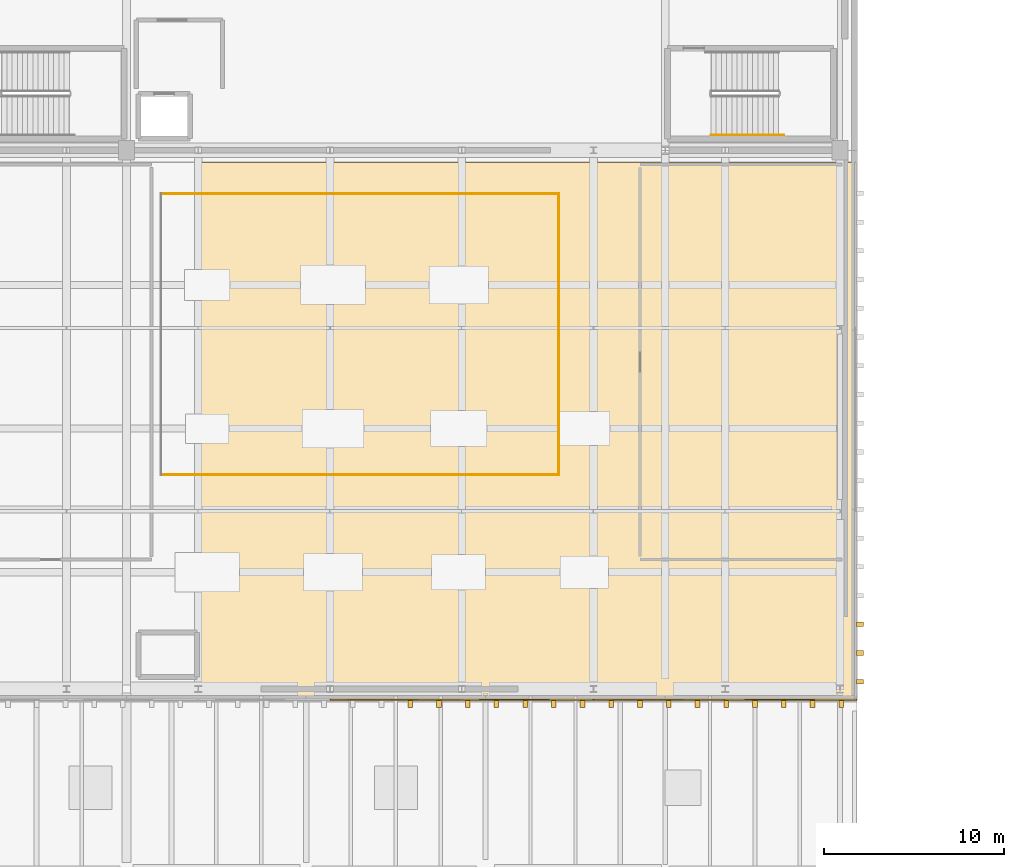
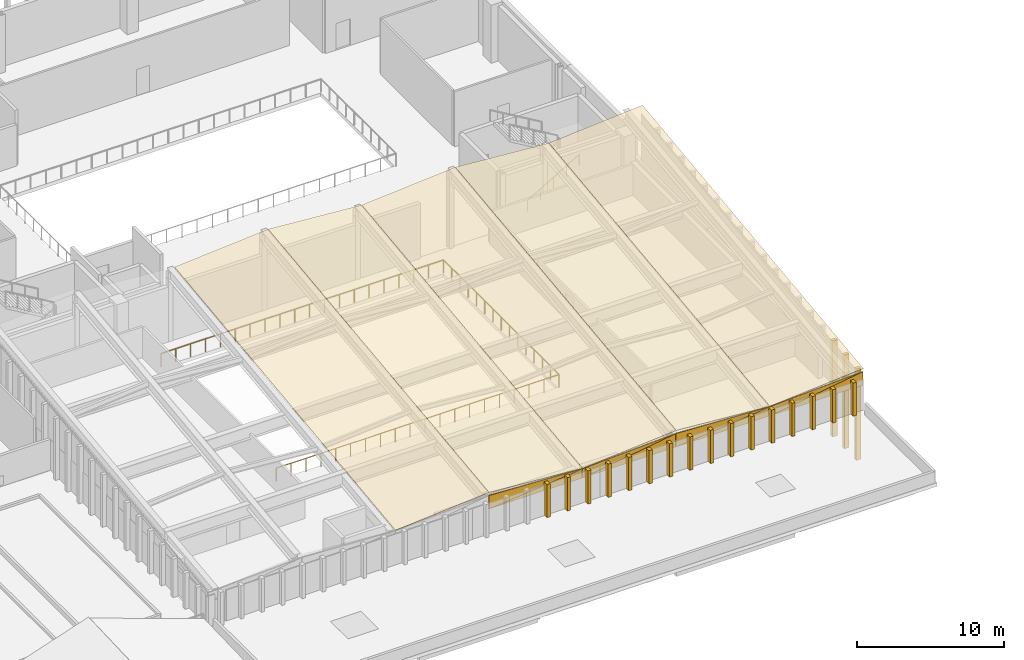
# One storey, part 26 of 30: 32 coverings, 4 railings.
"""IFC4 building model written with IfcOpenShell, lengths in metres."""

from ifc_helpers import new_model, si_unit, direction, frame, origin, origin_2d, place, context, subcontext, project, spatial, polyline, rectangle, circle, outline, extrude, material, layer, layer_set, type_object, element, save


model = new_model("IFC4")

# Units and contexts
model_context = context("Model", 3, precision=1e-05, world=origin(), true_north=direction((0.0, 1.0)))
body_context = subcontext(model_context, "Body", "Model", "MODEL_VIEW")
ifc_project = project(units=[si_unit("LENGTHUNIT", "METRE"), si_unit("AREAUNIT", "SQUARE_METRE"), si_unit("VOLUMEUNIT", "CUBIC_METRE"), si_unit("PLANEANGLEUNIT", "RADIAN"), si_unit("MASSUNIT", "GRAM", prefix="KILO")], contexts=[model_context])

# Site, building, storey
site_placement = place(None, origin())
site = spatial("IfcSite", under=ifc_project, at=site_placement, CompositionType="ELEMENT")
building_placement = place(site_placement, origin())
building = spatial("IfcBuilding", under=site, at=building_placement, Name="Trimount Lyric Opera House", CompositionType="ELEMENT")
storey_placement = place(building_placement, frame((0.0, 0.0, 24.800048828125)))
storey = spatial("IfcBuildingStorey", under=building, at=storey_placement, Name="L05", CompositionType="ELEMENT", Elevation=24.800048828125)

# Coverings
ifc_material_1 = material(Name="Extruded Brushed Aluminium Vertical Shed Rib", Category="aluminium")
ifc_layer_1 = layer(ifc_material_1, 0.260009765625)
ifc_layer_set_1 = layer_set([ifc_layer_1], Name="CLD-RIB1")
covering_type_1 = type_object("IfcCoveringType", Name="CLD-RIB1", PredefinedType="CLADDING", material=ifc_layer_set_1)
covering_1_placement = place(storey_placement, frame((114.85009765625, 54.39990234375, -4.7998046875), z_axis=(0.0, 0.0, 1.0), x_axis=(1.0, 0.0, 0.0)))
element("IfcCovering", 1, at=covering_1_placement, inside=storey, type_object=covering_type_1, Name="Auditorium E vertical cladding rib 061", PredefinedType="CLADDING", context=body_context, shape_type="SweptSolid", body=[
    extrude(rectangle(XDim=0.3798828125, YDim=0.260009765625, at=origin_2d()), origin(), (0.0, 0.0, 1.0), 7.581298828125),
])
covering_2_placement = place(storey_placement, frame((114.85009765625, 56.0, -4.80029296875), z_axis=(0.0, 0.0, 1.0), x_axis=(1.0, 0.0, 0.0)))
element("IfcCovering", 2, at=covering_2_placement, inside=storey, type_object=covering_type_1, Name="Auditorium E vertical cladding rib 062", PredefinedType="CLADDING", context=body_context, shape_type="SweptSolid", body=[
    extrude(rectangle(XDim=0.3798828125, YDim=0.260009765625, at=origin_2d()), origin(), (0.0, 0.0, 1.0), 7.776123046875),
])
covering_3_placement = place(storey_placement, frame((114.85009765625, 57.60009765625, -4.800048828125), z_axis=(0.0, 0.0, 1.0), x_axis=(1.0, 0.0, 0.0)))
element("IfcCovering", 3, at=covering_3_placement, inside=storey, type_object=covering_type_1, Name="Auditorium E vertical cladding rib 063", PredefinedType="CLADDING", context=body_context, shape_type="SweptSolid", body=[
    extrude(rectangle(XDim=0.3798828125, YDim=0.260009765625, at=origin_2d()), origin(), (0.0, 0.0, 1.0), 7.970703125),
])
for number, where, z_axis, x_axis, name in (
    (4, (89.800048828125, 53.155029296875, 0.0), (0.0, 0.0, 1.0), (1.0, 0.0, 0.0), "Auditorium south vertical cladding rib 201"),
    (5, (91.39990234375, 53.155029296875, 0.0), (0.0, 0.0, 1.0), (1.0, 0.0, 0.0), "Auditorium south vertical cladding rib 206"),
    (6, (93.0, 53.155029296875, 0.0), (0.0, 0.0, 1.0), (1.0, 0.0, 0.0), "Auditorium south vertical cladding rib 211"),
    (7, (94.60009765625, 53.155029296875, 0.0), (0.0, 0.0, 1.0), (1.0, 0.0, 0.0), "Auditorium south vertical cladding rib 216"),
    (8, (96.199951171875, 53.155029296875, 0.0), (0.0, 0.0, 1.0), (1.0, 0.0, 0.0), "Auditorium south vertical cladding rib 221"),
    (9, (97.800048828125, 53.155029296875, 0.0), (0.0, 0.0, 1.0), (1.0, 0.0, 0.0), "Auditorium south vertical cladding rib 226"),
    (10, (99.39990234375, 53.155029296875, 0.0), (0.0, 0.0, 1.0), (1.0, 0.0, 0.0), "Auditorium south vertical cladding rib 231"),
    (11, (101.0, 53.155029296875, 0.0), (0.0, 0.0, 1.0), (1.0, 0.0, 0.0), "Auditorium south vertical cladding rib 236"),
    (12, (102.60009765625, 53.155029296875, 0.0), (0.0, 0.0, 1.0), (1.0, 0.0, 0.0), "Auditorium south vertical cladding rib 241"),
    (13, (104.199951171875, 53.155029296875, 0.0), (0.0, 0.0, 1.0), (1.0, 0.0, 0.0), "Auditorium south vertical cladding rib 246"),
    (14, (105.800048828125, 53.155029296875, 0.0), (0.0, 0.0, 1.0), (1.0, 0.0, 0.0), "Auditorium south vertical cladding rib 251"),
    (15, (107.39990234375, 53.155029296875, 0.0), (0.0, 0.0, 1.0), (1.0, 0.0, 0.0), "Auditorium south vertical cladding rib 256"),
    (16, (109.0, 53.155029296875, 0.0), (0.0, 0.0, 1.0), (1.0, 0.0, 0.0), "Auditorium south vertical cladding rib 261"),
    (17, (110.60009765625, 53.155029296875, 0.0), (0.0, 0.0, 1.0), (1.0, 0.0, 0.0), "Auditorium south vertical cladding rib 266"),
    (18, (112.199951171875, 53.155029296875, 0.0), (0.0, 0.0, 1.0), (1.0, 0.0, 0.0), "Auditorium south vertical cladding rib 271"),
    (19, (113.800048828125, 53.155029296875, 0.0), (0.0, 0.0, 1.0), (1.0, 0.0, 0.0), "Auditorium south vertical cladding rib 276"),
):
    element("IfcCovering", number, at=place(storey_placement, frame(where, z_axis=z_axis, x_axis=x_axis)), inside=storey, type_object=covering_type_1, Name=name, PredefinedType="CLADDING", context=body_context, shape_type="SweptSolid", body=[
        extrude(rectangle(XDim=0.260009765625, YDim=0.3798828125, at=origin_2d()), origin(), (0.0, 0.0, 1.0), 2.760009765625),
    ])
ifc_material_2 = material(Name="Anodised Aluminium Acoustic Shed Cladding", Category="aluminium")
ifc_layer_2 = layer(ifc_material_2, 0.074951171875)
ifc_layer_set_2 = layer_set([ifc_layer_2], Name="CLD-SHED1")
covering_type_2 = type_object("IfcCoveringType", Name="CLD-SHED1", PredefinedType="CLADDING", material=ifc_layer_set_2)
covering_4_placement = place(storey_placement, frame((85.351318359375, 53.360107421875, 2.0), z_axis=(0.0, -1.0, 0.0), x_axis=(1.0, 0.0, 0.0)))
element("IfcCovering", 20, at=covering_4_placement, inside=storey, type_object=covering_type_2, Name="Auditorium L05 south folded eave cladding 4.1", PredefinedType="CLADDING", context=body_context, shape_type="SweptSolid", body=[
    extrude(outline(polyline([(0.0, 0.0), (7.29736328125, 0.0), (7.29736328125, 0.75), (0.0, 0.0)])), origin(), (0.0, 0.0, -1.0), 0.074951171875),
])
covering_5_placement = place(storey_placement, frame((85.351318359375, 53.360107421875, 2.0), z_axis=(0.0, -1.0, 0.0), x_axis=(0.994759936769, 0.0, 0.10223829126)))
element("IfcCovering", 21, at=covering_5_placement, inside=storey, type_object=covering_type_2, Name="Auditorium L05 south folded eave cladding 4.2", PredefinedType="CLADDING", context=body_context, shape_type="SweptSolid", body=[
    extrude(outline(polyline([(0.0, 0.0), (7.335803354680097, 0.0), (0.1144939067403446, 1.11400484129847), (0.0, 0.0)])), origin(), (0.0, 0.0, -1.0), 0.074951171875),
])
covering_6_placement = place(storey_placement, frame((92.6884765625, 53.360107421875, 2.0), z_axis=(0.0, -1.0, 0.0), x_axis=(1.0, 0.0, 0.0)))
element("IfcCovering", 22, at=covering_6_placement, inside=storey, type_object=covering_type_2, Name="Auditorium L05 south folded eave cladding 5.1", PredefinedType="CLADDING", context=body_context, shape_type="SweptSolid", body=[
    extrude(outline(polyline([(0.0, 0.0), (7.297119140625, 0.0), (7.297119140625, 1.119873046875), (0.0, 0.0)])), origin(), (0.0, 0.0, -1.0), 0.074951171875),
])
covering_7_placement = place(storey_placement, frame((92.6884765625, 53.360107421875, 2.0), z_axis=(0.0, -1.0, 0.0), x_axis=(0.988427829949, 0.0, 0.151691875137)))
element("IfcCovering", 23, at=covering_7_placement, inside=storey, type_object=covering_type_2, Name="Auditorium L05 south folded eave cladding 5.2", PredefinedType="CLADDING", context=body_context, shape_type="SweptSolid", body=[
    extrude(outline(polyline([(0.0, 0.0), (7.382551279442144, 0.0), (0.11376890635288844, 0.7413208724616269), (0.0, 0.0)])), origin(), (0.0, 0.0, -1.0), 0.074951171875),
])
covering_8_placement = place(storey_placement, frame((100.025634765625, 53.360107421875, 2.0), z_axis=(0.0, -1.0, 0.0), x_axis=(1.0, 0.0, 0.0)))
element("IfcCovering", 24, at=covering_8_placement, inside=storey, type_object=covering_type_2, Name="Auditorium L05 south folded eave cladding 6.1", PredefinedType="CLADDING", context=body_context, shape_type="SweptSolid", body=[
    extrude(outline(polyline([(0.0, 0.0), (7.297119140625, 0.0), (7.297119140625, 0.75), (0.0, 0.0)])), origin(), (0.0, 0.0, -1.0), 0.074951171875),
])
covering_9_placement = place(storey_placement, frame((100.025634765625, 53.360107421875, 2.0), z_axis=(0.0, -1.0, 0.0), x_axis=(0.994759588879, 0.0, 0.102241676103)))
element("IfcCovering", 25, at=covering_9_placement, inside=storey, type_object=covering_type_2, Name="Auditorium L05 south folded eave cladding 6.2", PredefinedType="CLADDING", context=body_context, shape_type="SweptSolid", body=[
    extrude(outline(polyline([(0.0, 0.0), (7.335560493409876, 1.1102230246251565e-16), (0.11449769733489405, 1.1140044517065912), (0.0, 0.0)])), origin(), (0.0, 0.0, -1.0), 0.074951171875),
])
covering_10_placement = place(storey_placement, frame((107.36279296875, 53.360107421875, 2.0), z_axis=(0.0, -1.0, 0.0), x_axis=(1.0, 0.0, 0.0)))
element("IfcCovering", 26, at=covering_10_placement, inside=storey, type_object=covering_type_2, Name="Auditorium L05 south folded eave cladding 7.1", PredefinedType="CLADDING", context=body_context, shape_type="SweptSolid", body=[
    extrude(outline(polyline([(0.0, 0.0), (7.297119140625, 0.0), (7.297119140625, 1.119873046875), (0.0, 0.0)])), origin(), (0.0, 0.0, -1.0), 0.074951171875),
])
covering_11_placement = place(storey_placement, frame((107.36279296875, 53.360107421875, 2.0), z_axis=(0.0, -1.0, 0.0), x_axis=(0.988427829949, 0.0, 0.151691875137)))
element("IfcCovering", 27, at=covering_11_placement, inside=storey, type_object=covering_type_2, Name="Auditorium L05 south folded eave cladding 7.2", PredefinedType="CLADDING", context=body_context, shape_type="SweptSolid", body=[
    extrude(outline(polyline([(0.0, 0.0), (7.382551279442144, 0.0), (0.11376890635288844, 0.7413208724616269), (0.0, 0.0)])), origin(), (0.0, 0.0, -1.0), 0.074951171875),
])
ifc_material_3 = material(Name="Zinc-Titanium Standing-Seam Acoustic Roofing")
ifc_layer_3 = layer(ifc_material_3, 0.044921875)
ifc_layer_set_3 = layer_set([ifc_layer_3], Name="RFG-SHED1")
covering_type_3 = type_object("IfcCoveringType", Name="RFG-SHED1", PredefinedType="ROOFING", material=ifc_layer_set_3)
covering_12_placement = place(storey_placement, frame((77.994384765625, 53.320068359375, 2.841064453125), z_axis=(-0.076888657797, -0.11976838332, 0.989820018316), x_axis=(0.996996556778, -1.966413e-06, 0.077445889299)))
element("IfcCovering", 28, at=covering_12_placement, inside=storey, type_object=covering_type_3, Name="Standing-seam zinc-titanium roofing on AUD-SLAB-03", PredefinedType="ROOFING", context=body_context, shape_type="SweptSolid", body=[
    extrude(outline(polyline([(0.0, 0.0), (7.3592520084149315, 1.3877787807814457e-17), (7.640331426168505, 30.217524982071588), (0.28106051006575694, 30.21749582952838), (0.0, 0.0)])), origin(), (0.0, 0.0, -1.0), 0.044921875),
])
covering_13_placement = place(storey_placement, frame((85.33154296875, 53.320068359375, 3.410888671875), z_axis=(0.076891201191, -0.119768359758, 0.989819823594), x_axis=(0.996996357791, 1.966478e-06, -0.077448450904)))
element("IfcCovering", 29, at=covering_13_placement, inside=storey, type_object=covering_type_3, Name="Standing-seam zinc-titanium roofing on AUD-SLAB-04", PredefinedType="ROOFING", context=body_context, shape_type="SweptSolid", body=[
    extrude(outline(polyline([(0.0, 0.0), (7.359008600768515, 0.0), (7.077938794304157, 30.217495743058816), (-0.28108871477756703, 30.217524895590472), (0.0, 0.0)])), origin(), (0.0, 0.0, -1.0), 0.044921875),
])
covering_14_placement = place(storey_placement, frame((92.66845703125, 53.320068359375, 2.841064453125), z_axis=(-0.076888657797, -0.11976838332, 0.989820018316), x_axis=(0.996996556778, -1.966413e-06, 0.077445889299)))
element("IfcCovering", 30, at=covering_14_placement, inside=storey, type_object=covering_type_3, Name="Standing-seam zinc-titanium roofing on AUD-SLAB-05", PredefinedType="ROOFING", context=body_context, shape_type="SweptSolid", body=[
    extrude(outline(polyline([(0.0, 0.0), (7.3592520084149315, 1.3877787807814457e-17), (7.640331426168505, 30.217524982071588), (0.28106051006575694, 30.21749582952838), (0.0, 0.0)])), origin(), (0.0, 0.0, -1.0), 0.044921875),
])
covering_15_placement = place(storey_placement, frame((100.005615234375, 53.320068359375, 3.410888671875), z_axis=(0.076888657797, -0.11976838332, 0.989820018316), x_axis=(0.996996556778, 1.966413e-06, -0.077445889299)))
element("IfcCovering", 31, at=covering_15_placement, inside=storey, type_object=covering_type_3, Name="Standing-seam zinc-titanium roofing on AUD-SLAB-06", PredefinedType="ROOFING", context=body_context, shape_type="SweptSolid", body=[
    extrude(outline(polyline([(0.0, 0.0), (7.3592520084149315, -1.3877787807814457e-17), (7.078191498349175, 30.21749582952838), (-0.28107941775357403, 30.21752498207159), (0.0, 0.0)])), origin(), (0.0, 0.0, -1.0), 0.044921875),
])
covering_16_placement = place(storey_placement, frame((107.3427734375, 53.320068359375, 2.841064453125), z_axis=(-0.076888657797, -0.11976838332, 0.989820018316), x_axis=(0.996996556778, -1.966413e-06, 0.077445889299)))
element("IfcCovering", 32, at=covering_16_placement, inside=storey, type_object=covering_type_3, Name="Standing-seam zinc-titanium roofing on AUD-SLAB-07", PredefinedType="ROOFING", context=body_context, shape_type="SweptSolid", body=[
    extrude(outline(polyline([(0.0, 0.0), (7.3592520084149315, 1.3877787807814457e-17), (7.640331426168505, 30.217524982071588), (0.28106051006575694, 30.21749582952838), (0.0, 0.0)])), origin(), (0.0, 0.0, -1.0), 0.044921875),
])

# Railings
ifc_material_4 = material(Name="Brushed Stainless Steel 316", Category="steel")
railing_type_1 = type_object("IfcRailingType", Name="RL-GRD110", PredefinedType="GUARDRAIL", material=ifc_material_4)
railing_1_placement = place(storey_placement, frame((75.919921875, 65.919921875, 0.0)))
element("IfcRailing", 33, at=railing_1_placement, inside=storey, type_object=railing_type_1, Name="L05 atrium and balcony guard GRD-AUD-L05-S", PredefinedType="GUARDRAIL", context=body_context, shape_type="SweptSolid", body=[
    extrude(circle(Radius=0.02392578125, at=origin_2d()), frame((0.0, 0.0, 1.076171875), z_axis=(1.0, 0.0, 0.0), x_axis=(0.0, 1.0, 0.0)), (0.0, 0.0, 1.0), 22.16015625),
    extrude(circle(Radius=0.02099609375, at=origin_2d()), origin(), (0.0, 0.0, 1.0), 1.052001953125),
    extrude(circle(Radius=0.02099609375, at=origin_2d()), frame((1.166259765625, 0.0, 0.0)), (0.0, 0.0, 1.0), 1.052001953125),
    extrude(circle(Radius=0.02099609375, at=origin_2d()), frame((2.332763671875, 0.0, 0.0)), (0.0, 0.0, 1.0), 1.052001953125),
    extrude(circle(Radius=0.02099609375, at=origin_2d()), frame((3.4990234375, 0.0, 0.0)), (0.0, 0.0, 1.0), 1.052001953125),
    extrude(circle(Radius=0.02099609375, at=origin_2d()), frame((4.665283203125, 0.0, 0.0)), (0.0, 0.0, 1.0), 1.052001953125),
    extrude(circle(Radius=0.02099609375, at=origin_2d()), frame((5.83154296875, 0.0, 0.0)), (0.0, 0.0, 1.0), 1.052001953125),
    extrude(circle(Radius=0.02099609375, at=origin_2d()), frame((6.998046875, 0.0, 0.0)), (0.0, 0.0, 1.0), 1.052001953125),
    extrude(circle(Radius=0.02099609375, at=origin_2d()), frame((8.164306640625, 0.0, 0.0)), (0.0, 0.0, 1.0), 1.052001953125),
    extrude(circle(Radius=0.02099609375, at=origin_2d()), frame((9.33056640625, 0.0, 0.0)), (0.0, 0.0, 1.0), 1.052001953125),
    extrude(circle(Radius=0.02099609375, at=origin_2d()), frame((10.496826171875, 0.0, 0.0)), (0.0, 0.0, 1.0), 1.052001953125),
    extrude(circle(Radius=0.02099609375, at=origin_2d()), frame((11.663330078125, 0.0, 0.0)), (0.0, 0.0, 1.0), 1.052001953125),
    extrude(circle(Radius=0.02099609375, at=origin_2d()), frame((12.82958984375, 0.0, 0.0)), (0.0, 0.0, 1.0), 1.052001953125),
    extrude(circle(Radius=0.02099609375, at=origin_2d()), frame((13.995849609375, 0.0, 0.0)), (0.0, 0.0, 1.0), 1.052001953125),
    extrude(circle(Radius=0.02099609375, at=origin_2d()), frame((15.162109375, 0.0, 0.0)), (0.0, 0.0, 1.0), 1.052001953125),
    extrude(circle(Radius=0.02099609375, at=origin_2d()), frame((16.32861328125, 0.0, 0.0)), (0.0, 0.0, 1.0), 1.052001953125),
    extrude(circle(Radius=0.02099609375, at=origin_2d()), frame((17.494873046875, 0.0, 0.0)), (0.0, 0.0, 1.0), 1.052001953125),
    extrude(circle(Radius=0.02099609375, at=origin_2d()), frame((18.6611328125, 0.0, 0.0)), (0.0, 0.0, 1.0), 1.052001953125),
    extrude(circle(Radius=0.02099609375, at=origin_2d()), frame((19.827392578125, 0.0, 0.0)), (0.0, 0.0, 1.0), 1.052001953125),
    extrude(circle(Radius=0.02099609375, at=origin_2d()), frame((20.993896484375, 0.0, 0.0)), (0.0, 0.0, 1.0), 1.052001953125),
    extrude(circle(Radius=0.02099609375, at=origin_2d()), frame((22.16015625, 0.0, 0.0)), (0.0, 0.0, 1.0), 1.052001953125),
])
railing_2_placement = place(storey_placement, frame((98.080078125, 65.919921875, 0.0)))
element("IfcRailing", 34, at=railing_2_placement, inside=storey, type_object=railing_type_1, Name="L05 atrium and balcony guard GRD-AUD-L05-E", PredefinedType="GUARDRAIL", context=body_context, shape_type="SweptSolid", body=[
    extrude(circle(Radius=0.02392578125, at=origin_2d()), frame((0.0, 0.0, 1.076171875), z_axis=(0.0, 1.0, 0.0), x_axis=(-1.0, 0.0, 0.0)), (0.0, 0.0, 1.0), 15.66015625),
    extrude(circle(Radius=0.02099609375, at=origin_2d()), origin(), (0.0, 0.0, 1.0), 1.052001953125),
    extrude(circle(Radius=0.02099609375, at=origin_2d()), frame((0.0, 1.11865234375, 0.0)), (0.0, 0.0, 1.0), 1.052001953125),
    extrude(circle(Radius=0.02099609375, at=origin_2d()), frame((0.0, 2.237060546875, 0.0)), (0.0, 0.0, 1.0), 1.052001953125),
    extrude(circle(Radius=0.02099609375, at=origin_2d()), frame((0.0, 3.355712890625, 0.0)), (0.0, 0.0, 1.0), 1.052001953125),
    extrude(circle(Radius=0.02099609375, at=origin_2d()), frame((0.0, 4.474365234375, 0.0)), (0.0, 0.0, 1.0), 1.052001953125),
    extrude(circle(Radius=0.02099609375, at=origin_2d()), frame((0.0, 5.593017578125, 0.0)), (0.0, 0.0, 1.0), 1.052001953125),
    extrude(circle(Radius=0.02099609375, at=origin_2d()), frame((0.0, 6.71142578125, 0.0)), (0.0, 0.0, 1.0), 1.052001953125),
    extrude(circle(Radius=0.02099609375, at=origin_2d()), frame((0.0, 7.830078125, 0.0)), (0.0, 0.0, 1.0), 1.052001953125),
    extrude(circle(Radius=0.02099609375, at=origin_2d()), frame((0.0, 8.94873046875, 0.0)), (0.0, 0.0, 1.0), 1.052001953125),
    extrude(circle(Radius=0.02099609375, at=origin_2d()), frame((0.0, 10.067138671875, 0.0)), (0.0, 0.0, 1.0), 1.052001953125),
    extrude(circle(Radius=0.02099609375, at=origin_2d()), frame((0.0, 11.185791015625, 0.0)), (0.0, 0.0, 1.0), 1.052001953125),
    extrude(circle(Radius=0.02099609375, at=origin_2d()), frame((0.0, 12.304443359375, 0.0)), (0.0, 0.0, 1.0), 1.052001953125),
    extrude(circle(Radius=0.02099609375, at=origin_2d()), frame((0.0, 13.423095703125, 0.0)), (0.0, 0.0, 1.0), 1.052001953125),
    extrude(circle(Radius=0.02099609375, at=origin_2d()), frame((0.0, 14.54150390625, 0.0)), (0.0, 0.0, 1.0), 1.052001953125),
    extrude(circle(Radius=0.02099609375, at=origin_2d()), frame((0.0, 15.66015625, 0.0)), (0.0, 0.0, 1.0), 1.052001953125),
])
railing_3_placement = place(storey_placement, frame((98.080078125, 81.580078125, 0.0)))
element("IfcRailing", 35, at=railing_3_placement, inside=storey, type_object=railing_type_1, Name="L05 atrium and balcony guard GRD-AUD-L05-N", PredefinedType="GUARDRAIL", context=body_context, shape_type="SweptSolid", body=[
    extrude(circle(Radius=0.02392578125, at=origin_2d()), frame((0.0, 0.0, 1.076171875), z_axis=(-1.0, 0.0, 0.0), x_axis=(0.0, -1.0, 0.0)), (0.0, 0.0, 1.0), 22.16015625),
    extrude(circle(Radius=0.02099609375, at=origin_2d()), origin(), (0.0, 0.0, 1.0), 1.052001953125),
    extrude(circle(Radius=0.02099609375, at=origin_2d()), frame((-1.166259765625, 0.0, 0.0)), (0.0, 0.0, 1.0), 1.052001953125),
    extrude(circle(Radius=0.02099609375, at=origin_2d()), frame((-2.332763671875, 0.0, 0.0)), (0.0, 0.0, 1.0), 1.052001953125),
    extrude(circle(Radius=0.02099609375, at=origin_2d()), frame((-3.4990234375, 0.0, 0.0)), (0.0, 0.0, 1.0), 1.052001953125),
    extrude(circle(Radius=0.02099609375, at=origin_2d()), frame((-4.665283203125, 0.0, 0.0)), (0.0, 0.0, 1.0), 1.052001953125),
    extrude(circle(Radius=0.02099609375, at=origin_2d()), frame((-5.83154296875, 0.0, 0.0)), (0.0, 0.0, 1.0), 1.052001953125),
    extrude(circle(Radius=0.02099609375, at=origin_2d()), frame((-6.998046875, 0.0, 0.0)), (0.0, 0.0, 1.0), 1.052001953125),
    extrude(circle(Radius=0.02099609375, at=origin_2d()), frame((-8.164306640625, 0.0, 0.0)), (0.0, 0.0, 1.0), 1.052001953125),
    extrude(circle(Radius=0.02099609375, at=origin_2d()), frame((-9.33056640625, 0.0, 0.0)), (0.0, 0.0, 1.0), 1.052001953125),
    extrude(circle(Radius=0.02099609375, at=origin_2d()), frame((-10.496826171875, 0.0, 0.0)), (0.0, 0.0, 1.0), 1.052001953125),
    extrude(circle(Radius=0.02099609375, at=origin_2d()), frame((-11.663330078125, 0.0, 0.0)), (0.0, 0.0, 1.0), 1.052001953125),
    extrude(circle(Radius=0.02099609375, at=origin_2d()), frame((-12.82958984375, 0.0, 0.0)), (0.0, 0.0, 1.0), 1.052001953125),
    extrude(circle(Radius=0.02099609375, at=origin_2d()), frame((-13.995849609375, 0.0, 0.0)), (0.0, 0.0, 1.0), 1.052001953125),
    extrude(circle(Radius=0.02099609375, at=origin_2d()), frame((-15.162109375, 0.0, 0.0)), (0.0, 0.0, 1.0), 1.052001953125),
    extrude(circle(Radius=0.02099609375, at=origin_2d()), frame((-16.32861328125, 0.0, 0.0)), (0.0, 0.0, 1.0), 1.052001953125),
    extrude(circle(Radius=0.02099609375, at=origin_2d()), frame((-17.494873046875, 0.0, 0.0)), (0.0, 0.0, 1.0), 1.052001953125),
    extrude(circle(Radius=0.02099609375, at=origin_2d()), frame((-18.6611328125, 0.0, 0.0)), (0.0, 0.0, 1.0), 1.052001953125),
    extrude(circle(Radius=0.02099609375, at=origin_2d()), frame((-19.827392578125, 0.0, 0.0)), (0.0, 0.0, 1.0), 1.052001953125),
    extrude(circle(Radius=0.02099609375, at=origin_2d()), frame((-20.993896484375, 0.0, 0.0)), (0.0, 0.0, 1.0), 1.052001953125),
    extrude(circle(Radius=0.02099609375, at=origin_2d()), frame((-22.16015625, 0.0, 0.0)), (0.0, 0.0, 1.0), 1.052001953125),
])
ifc_material_5 = material(Name="Brushed Stainless Steel 316", Category="steel")
railing_type_2 = type_object("IfcRailingType", Name="RL-HND092", PredefinedType="HANDRAIL", material=ifc_material_5)
railing_4_placement = place(storey_placement, frame((106.550048828125, 84.85009765625, 0.17138671875)))
element("IfcRailing", 36, at=railing_4_placement, inside=storey, type_object=railing_type_2, Name="L05 ST-04 stair handrail 1", PredefinedType="HANDRAIL", context=body_context, shape_type="SweptSolid", body=[
    extrude(circle(Radius=0.0224609375, at=origin_2d()), frame((0.0, 0.0, 0.8974609375), z_axis=(0.86055955557, 0.0, 0.509349831959), x_axis=(0.0, 1.0, 0.0)), (0.0, 0.0, 1.0), 4.718017578125),
    extrude(circle(Radius=0.02099609375, at=origin_2d()), origin(), (0.0, 0.0, 1.0), 0.875),
    extrude(circle(Radius=0.02099609375, at=origin_2d()), frame((1.01513671875, 0.0, 0.600830078125)), (0.0, 0.0, 1.0), 0.875),
    extrude(circle(Radius=0.02099609375, at=origin_2d()), frame((2.030029296875, 0.0, 1.20166015625)), (0.0, 0.0, 1.0), 0.875),
    extrude(circle(Radius=0.02099609375, at=origin_2d()), frame((3.044921875, 0.0, 1.80224609375)), (0.0, 0.0, 1.0), 0.875),
    extrude(circle(Radius=0.02099609375, at=origin_2d()), frame((4.06005859375, 0.0, 2.403076171875)), (0.0, 0.0, 1.0), 0.875),
])

save(model, "model.ifc")
